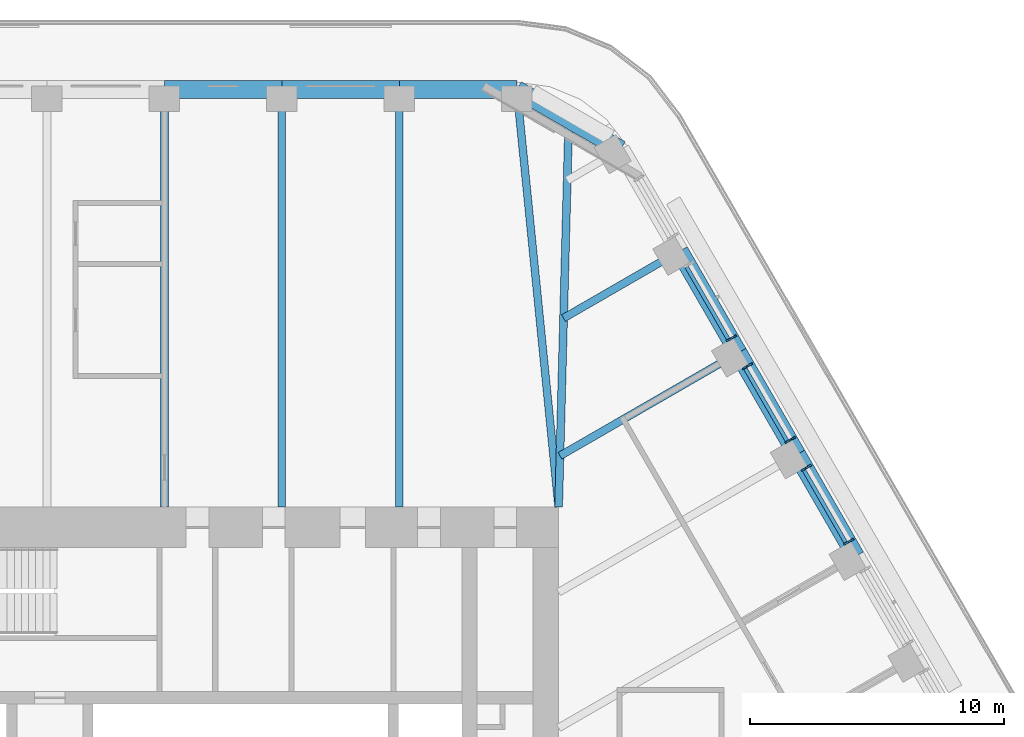
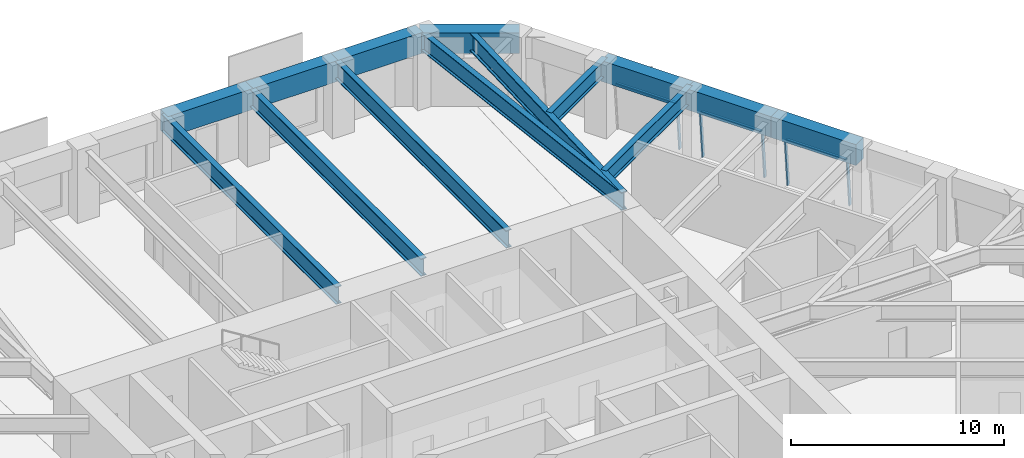
# One storey, part 11 of 20: 14 beams, 8 members, 3 elements without a shape of their own.
"""IFC4 building model written with IfcOpenShell, lengths in metres."""

from ifc_helpers import new_model, si_unit, direction, frame, origin, origin_2d, place, context, subcontext, project, spatial, rectangle, i_section, extrude, material, material_profile, profile_set, type_object, element, aggregate, save


model = new_model("IFC4")

# Units and contexts
model_context = context("Model", 3, precision=1e-05, world=origin(), true_north=direction((0.0, 1.0)))
body_context = subcontext(model_context, "Body", "Model", "MODEL_VIEW")
ifc_project = project(units=[si_unit("LENGTHUNIT", "METRE"), si_unit("AREAUNIT", "SQUARE_METRE"), si_unit("VOLUMEUNIT", "CUBIC_METRE"), si_unit("PLANEANGLEUNIT", "RADIAN"), si_unit("MASSUNIT", "GRAM", prefix="KILO")], contexts=[model_context])

# Site, building, storey
site_placement = place(None, origin())
site = spatial("IfcSite", under=ifc_project, at=site_placement, CompositionType="ELEMENT")
building_placement = place(site_placement, origin())
building = spatial("IfcBuilding", under=site, at=building_placement, Name="Tarfa Lantern Tower", CompositionType="ELEMENT")
storey_placement = place(building_placement, frame((0.0, 0.0, 265.89990234375)))
storey = spatial("IfcBuildingStorey", under=building, at=storey_placement, Name="L60", CompositionType="ELEMENT", Elevation=265.89990234375)

# Curtain wall, members
ifc_material_1 = material(Name="Aluminium framed curtain wall", Category="aluminium")
curtain_wall_type = type_object("IfcCurtainWallType", Name="CW3 CANTED GLAZING HIGH ZONE 2800", PredefinedType="USERDEFINED", material=ifc_material_1)
curtain_wall_1_placement = place(storey_placement, origin())
curtain_wall_1 = element("IfcCurtainWall", 1, at=curtain_wall_1_placement, inside=storey, type_object=curtain_wall_type, Name="CW3 NE L60", ObjectType="CURTAIN WALL", PredefinedType="USERDEFINED")
ifc_material_2 = material(Name="Aluminium mullion", Category="aluminium")
ifc_material_profile_1 = material_profile(ifc_material_2, rectangle(XDim=0.06494140625, YDim=0.199951171875, at=origin_2d()), Name="AL MULLION 65x200")
ifc_profile_set_1 = profile_set([ifc_material_profile_1], Name="Aluminium mullion")
member_type_1 = type_object("IfcMemberType", Name="CWM1 MULLION 65x200", PredefinedType="MULLION", material=ifc_profile_set_1)
member_1_placement = place(storey_placement, frame((27.021240234375, 10.997802734375, 0.0), z_axis=(-0.077032386753, -0.044465143199, 0.996036576854), x_axis=(0.499919672301, -0.866071776036, 0.0)))
member_1 = element("IfcMember", 2, at=member_1_placement, type_object=member_type_1, Name="CW3 mullion 1", PredefinedType="MULLION", context=body_context, shape_type="SweptSolid", body=[
    extrude(rectangle(XDim=0.06494140625, YDim=0.199951171875, at=origin_2d()), origin(), (0.0, 0.0, 1.0), 2.811279296875),
])
member_2_placement = place(storey_placement, frame((25.344482421875, 13.90234375, 0.0), z_axis=(-0.077032386753, -0.044465143199, 0.996036576854), x_axis=(0.499919672301, -0.866071776036, 0.0)))
member_2 = element("IfcMember", 3, at=member_2_placement, type_object=member_type_1, Name="CW3 mullion 2", PredefinedType="MULLION", context=body_context, shape_type="SweptSolid", body=[
    extrude(rectangle(XDim=0.06494140625, YDim=0.199951171875, at=origin_2d()), origin(), (0.0, 0.0, 1.0), 2.811279296875),
])

curtain_wall_2_placement = place(storey_placement, origin())
curtain_wall_2 = element("IfcCurtainWall", 4, at=curtain_wall_2_placement, inside=storey, type_object=curtain_wall_type, Name="CW3 NE L60", ObjectType="CURTAIN WALL", PredefinedType="USERDEFINED")
member_3_placement = place(storey_placement, frame((24.7119140625, 14.997802734375, 0.0), z_axis=(-0.077032386753, -0.044465143199, 0.996036576854), x_axis=(0.499919672301, -0.866071776036, 0.0)))
member_3 = element("IfcMember", 5, at=member_3_placement, type_object=member_type_1, Name="CW3 mullion 1", PredefinedType="MULLION", context=body_context, shape_type="SweptSolid", body=[
    extrude(rectangle(XDim=0.06494140625, YDim=0.199951171875, at=origin_2d()), origin(), (0.0, 0.0, 1.0), 2.811279296875),
])
member_4_placement = place(storey_placement, frame((23.034912109375, 17.90234375, 0.0), z_axis=(-0.077032386753, -0.044465143199, 0.996036576854), x_axis=(0.499919672301, -0.866071776036, 0.0)))
member_4 = element("IfcMember", 6, at=member_4_placement, type_object=member_type_1, Name="CW3 mullion 2", PredefinedType="MULLION", context=body_context, shape_type="SweptSolid", body=[
    extrude(rectangle(XDim=0.06494140625, YDim=0.199951171875, at=origin_2d()), origin(), (0.0, 0.0, 1.0), 2.811279296875),
])

# Curtain wall, member
curtain_wall_3_placement = place(storey_placement, origin())
curtain_wall_3 = element("IfcCurtainWall", 7, at=curtain_wall_3_placement, inside=storey, type_object=curtain_wall_type, Name="CW3 NE L60", ObjectType="CURTAIN WALL", PredefinedType="USERDEFINED")
member_5_placement = place(storey_placement, frame((22.402587890625, 18.997802734375, 0.0), z_axis=(-0.077032386753, -0.044465143199, 0.996036576854), x_axis=(0.499919672301, -0.866071776036, 0.0)))
member_5 = element("IfcMember", 8, at=member_5_placement, type_object=member_type_1, Name="CW3 mullion 1", PredefinedType="MULLION", context=body_context, shape_type="SweptSolid", body=[
    extrude(rectangle(XDim=0.06494140625, YDim=0.199951171875, at=origin_2d()), origin(), (0.0, 0.0, 1.0), 2.811279296875),
])

# Member
ifc_material_3 = material(Name="Aluminium transom", Category="aluminium")
ifc_material_profile_2 = material_profile(ifc_material_3, rectangle(XDim=0.14990234375, YDim=0.06494140625, at=origin_2d()), Name="AL TRANSOM 150x65")
ifc_profile_set_2 = profile_set([ifc_material_profile_2], Name="Aluminium transom")
member_type_2 = type_object("IfcMemberType", Name="CWT1 TRANSOM 150x65", PredefinedType="USERDEFINED", material=ifc_profile_set_2)
member_6_placement = place(storey_placement, frame((26.791015625, 10.90234375, 2.767578125), z_axis=(-0.499979497339, 0.866037240677, 0.0), x_axis=(-0.866037240677, -0.499979497339, 0.0)))
member_6 = element("IfcMember", 9, at=member_6_placement, type_object=member_type_2, Name="CW3 transom 1.2", ObjectType="TRANSOM", PredefinedType="USERDEFINED", context=body_context, shape_type="SweptSolid", body=[
    extrude(rectangle(XDim=0.14990234375, YDim=0.06494140625, at=origin_2d()), origin(), (0.0, 0.0, 1.0), 3.288818359375),
])

aggregate(curtain_wall_1, [member_1, member_2, member_6])

member_7_placement = place(storey_placement, frame((24.481689453125, 14.90234375, 2.767578125), z_axis=(-0.500035172766, 0.866005095826, 0.0), x_axis=(-0.866005095826, -0.500035172766, 0.0)))
member_7 = element("IfcMember", 10, at=member_7_placement, type_object=member_type_2, Name="CW3 transom 1.2", ObjectType="TRANSOM", PredefinedType="USERDEFINED", context=body_context, shape_type="SweptSolid", body=[
    extrude(rectangle(XDim=0.14990234375, YDim=0.06494140625, at=origin_2d()), origin(), (0.0, 0.0, 1.0), 3.288818359375),
])

aggregate(curtain_wall_2, [member_3, member_4, member_7])

member_8_placement = place(storey_placement, frame((22.172119140625, 18.90234375, 2.767578125), z_axis=(-0.499979497339, 0.866037240677, 0.0), x_axis=(-0.866037240677, -0.499979497339, 0.0)))
member_8 = element("IfcMember", 11, at=member_8_placement, type_object=member_type_2, Name="CW3 transom 1.2", ObjectType="TRANSOM", PredefinedType="USERDEFINED", context=body_context, shape_type="SweptSolid", body=[
    extrude(rectangle(XDim=0.14990234375, YDim=0.06494140625, at=origin_2d()), origin(), (0.0, 0.0, 1.0), 3.288818359375),
])

aggregate(curtain_wall_3, [member_5, member_8])

# Beams
ifc_material_4 = material(Name="Concrete C80/95", Category="concrete")
ifc_material_profile_3 = material_profile(ifc_material_4, rectangle(XDim=0.699951171875, YDim=1.199951171875, at=origin_2d()), Name="RC 700x1200")
ifc_profile_set_3 = profile_set([ifc_material_profile_3], Name="Concrete C80/95")
beam_type_1 = type_object("IfcBeamType", Name="EB3 RC 700x1200", PredefinedType="SPANDREL", material=ifc_profile_set_3)
beam_1_placement = place(storey_placement, frame((27.181640625, 10.360107421875, 3.400146484375), z_axis=(-0.499987836815, 0.866032426089, 0.0), x_axis=(-0.866032426089, -0.499987836815, 0.0)))
element("IfcBeam", 12, at=beam_1_placement, inside=storey, type_object=beam_type_1, Name="Edge beam NE2", PredefinedType="SPANDREL", context=body_context, shape_type="SweptSolid", body=[
    extrude(rectangle(XDim=0.699951171875, YDim=1.199951171875, at=origin_2d()), origin(), (0.0, 0.0, 1.0), 4.61865234375),
])
beam_2_placement = place(storey_placement, frame((24.872314453125, 14.360107421875, 3.400146484375), z_axis=(-0.500027479704, 0.866009537788, 0.0), x_axis=(-0.866009537788, -0.500027479704, 0.0)))
element("IfcBeam", 13, at=beam_2_placement, inside=storey, type_object=beam_type_1, Name="Edge beam NE3", PredefinedType="SPANDREL", context=body_context, shape_type="SweptSolid", body=[
    extrude(rectangle(XDim=0.699951171875, YDim=1.199951171875, at=origin_2d()), origin(), (0.0, 0.0, 1.0), 4.618896484375),
])
beam_3_placement = place(storey_placement, frame((22.562744140625, 18.360107421875, 3.400146484375), z_axis=(-0.499987836815, 0.866032426089, 0.0), x_axis=(-0.866032426089, -0.499987836815, 0.0)))
element("IfcBeam", 14, at=beam_3_placement, inside=storey, type_object=beam_type_1, Name="Edge beam NE4", PredefinedType="SPANDREL", context=body_context, shape_type="SweptSolid", body=[
    extrude(rectangle(XDim=0.699951171875, YDim=1.199951171875, at=origin_2d()), origin(), (0.0, 0.0, 1.0), 4.61865234375),
])
beam_4_placement = place(storey_placement, frame((17.944091796875, 26.360107421875, 3.400146484375), z_axis=(-0.866038294681, 0.499977671647, 0.0), x_axis=(-0.499977671647, -0.866038294681, 0.0)))
element("IfcBeam", 15, at=beam_4_placement, inside=storey, type_object=beam_type_1, Name="Edge beam NE6", PredefinedType="SPANDREL", context=body_context, shape_type="SweptSolid", body=[
    extrude(rectangle(XDim=0.699951171875, YDim=1.199951171875, at=origin_2d()), origin(), (0.0, 0.0, 1.0), 4.719970703125),
])
beam_5_placement = place(storey_placement, frame((13.8564453125, 28.719970703125, 3.400146484375), z_axis=(-1.0, 0.0, 0.0), x_axis=(0.0, -1.0, 0.0)))
element("IfcBeam", 16, at=beam_5_placement, inside=storey, type_object=beam_type_1, Name="Edge beam N0", PredefinedType="SPANDREL", context=body_context, shape_type="SweptSolid", body=[
    extrude(rectangle(XDim=0.699951171875, YDim=1.199951171875, at=origin_2d()), origin(), (0.0, 0.0, 1.0), 4.618896484375),
])
beam_6_placement = place(storey_placement, frame((9.237548828125, 28.719970703125, 3.400146484375), z_axis=(-1.0, 0.0, 0.0), x_axis=(0.0, -1.0, 0.0)))
element("IfcBeam", 17, at=beam_6_placement, inside=storey, type_object=beam_type_1, Name="Edge beam N1", PredefinedType="SPANDREL", context=body_context, shape_type="SweptSolid", body=[
    extrude(rectangle(XDim=0.699951171875, YDim=1.199951171875, at=origin_2d()), origin(), (0.0, 0.0, 1.0), 4.61865234375),
])
beam_7_placement = place(storey_placement, frame((4.618896484375, 28.719970703125, 3.400146484375), z_axis=(-1.0, 0.0, 0.0), x_axis=(0.0, -1.0, 0.0)))
element("IfcBeam", 18, at=beam_7_placement, inside=storey, type_object=beam_type_1, Name="Edge beam N2", PredefinedType="SPANDREL", context=body_context, shape_type="SweptSolid", body=[
    extrude(rectangle(XDim=0.699951171875, YDim=1.199951171875, at=origin_2d()), origin(), (0.0, 0.0, 1.0), 4.618896484375),
])
ifc_material_5 = material(Name="Steel S460M", Category="steel")
ifc_material_profile_4 = material_profile(ifc_material_5, i_section(OverallWidth=0.302001953125, OverallDepth=1.008056640625, WebThickness=0.02099609375, FlangeThickness=0.0400390625, FilletRadius=0.030029296875, at=origin_2d()), Name="UB1016x305x349")
ifc_profile_set_4 = profile_set([ifc_material_profile_4], Name="Steel S460M")
beam_type_2 = type_object("IfcBeamType", Name="UB1016x305x349", PredefinedType="BEAM", material=ifc_profile_set_4)
beam_8_placement = place(storey_placement, frame((13.8564453125, 28.719970703125, 3.49609375), z_axis=(0.099597466746, -0.995027810977, 0.0), x_axis=(0.995027810977, 0.099597466746, 0.0)))
element("IfcBeam", 19, at=beam_8_placement, inside=storey, type_object=beam_type_2, Name="Floor beam N0", PredefinedType="BEAM", context=body_context, shape_type="SweptSolid", body=[
    extrude(i_section(OverallWidth=0.302001953125, OverallDepth=1.008056640625, WebThickness=0.02099609375, FlangeThickness=0.0400390625, FilletRadius=0.030029296875, at=origin_2d()), origin(), (0.0, 0.0, 1.0), 16.501953125),
])
for number, where, z_axis, x_axis, name in (
    (20, (9.237548828125, 28.719970703125, 3.49609375), (0.0, -1.0, 0.0), (1.0, 0.0, 0.0), "Floor beam N1"),
    (21, (4.618896484375, 28.719970703125, 3.49609375), (0.0, -1.0, 0.0), (1.0, 0.0, 0.0), "Floor beam N2"),
    (22, (0.0, 28.719970703125, 3.49609375), (0.0, -1.0, 0.0), (1.0, 0.0, 0.0), "Floor beam N3"),
):
    element("IfcBeam", number, at=place(storey_placement, frame(where, z_axis=z_axis, x_axis=x_axis)), inside=storey, type_object=beam_type_2, Name=name, PredefinedType="BEAM", context=body_context, shape_type="SweptSolid", body=[
        extrude(i_section(OverallWidth=0.302001953125, OverallDepth=1.008056640625, WebThickness=0.02099609375, FlangeThickness=0.0400390625, FilletRadius=0.030029296875, at=origin_2d()), origin(), (0.0, 0.0, 1.0), 16.419921875),
    ])
ifc_material_profile_5 = material_profile(ifc_material_5, i_section(OverallWidth=0.30859375, OverallDepth=1.036376953125, WebThickness=0.030029296875, FlangeThickness=0.05419921875, FilletRadius=0.030029296875, at=origin_2d()), Name="UB1016x305x487")
ifc_profile_set_5 = profile_set([ifc_material_profile_5], Name="Steel S460M")
beam_type_3 = type_object("IfcBeamType", Name="UB1016x305x487", PredefinedType="BEAM", material=ifc_profile_set_5)
beam_9_placement = place(storey_placement, frame((15.5, 12.300048828125, 3.48193359375), z_axis=(0.026247301989, 0.999655480222, 0.0), x_axis=(-0.999655480222, 0.026247301989, 0.0)))
element("IfcBeam", 23, at=beam_9_placement, inside=storey, type_object=beam_type_3, Name="Hip girder NE", PredefinedType="BEAM", context=body_context, shape_type="SweptSolid", body=[
    extrude(i_section(OverallWidth=0.30859375, OverallDepth=1.036376953125, WebThickness=0.030029296875, FlangeThickness=0.05419921875, FilletRadius=0.030029296875, at=origin_2d()), origin(), (0.0, 0.0, 1.0), 15.245361328125),
])
ifc_material_profile_6 = material_profile(ifc_material_5, i_section(OverallWidth=0.305419921875, OverallDepth=0.91845703125, WebThickness=0.017333984375, FlangeThickness=0.02783203125, FilletRadius=0.01904296875, at=origin_2d()), Name="UB914x305x253")
ifc_profile_set_6 = profile_set([ifc_material_profile_6], Name="Steel S460M")
beam_type_4 = type_object("IfcBeamType", Name="UB914x305x253", PredefinedType="BEAM", material=ifc_profile_set_6)
beam_10_placement = place(storey_placement, frame((22.562744140625, 18.360107421875, 3.541015625), z_axis=(-0.866010787764, -0.500025314835, 0.0), x_axis=(0.500025314835, -0.866010787764, 0.0)))
element("IfcBeam", 24, at=beam_10_placement, inside=storey, type_object=beam_type_4, Name="Floor beam NE4", PredefinedType="BEAM", context=body_context, shape_type="SweptSolid", body=[
    extrude(i_section(OverallWidth=0.305419921875, OverallDepth=0.91845703125, WebThickness=0.017333984375, FlangeThickness=0.02783203125, FilletRadius=0.01904296875, at=origin_2d()), origin(), (0.0, 0.0, 1.0), 8.09423828125),
])
beam_11_placement = place(storey_placement, frame((20.25341796875, 22.360107421875, 3.541015625), z_axis=(-0.86601951648, -0.500010196972, 0.0), x_axis=(0.500010196972, -0.86601951648, 0.0)))
element("IfcBeam", 25, at=beam_11_placement, inside=storey, type_object=beam_type_4, Name="Floor beam NE5", PredefinedType="BEAM", context=body_context, shape_type="SweptSolid", body=[
    extrude(i_section(OverallWidth=0.305419921875, OverallDepth=0.91845703125, WebThickness=0.017333984375, FlangeThickness=0.02783203125, FilletRadius=0.01904296875, at=origin_2d()), origin(), (0.0, 0.0, 1.0), 5.263671875),
])

save(model, "model.ifc")
